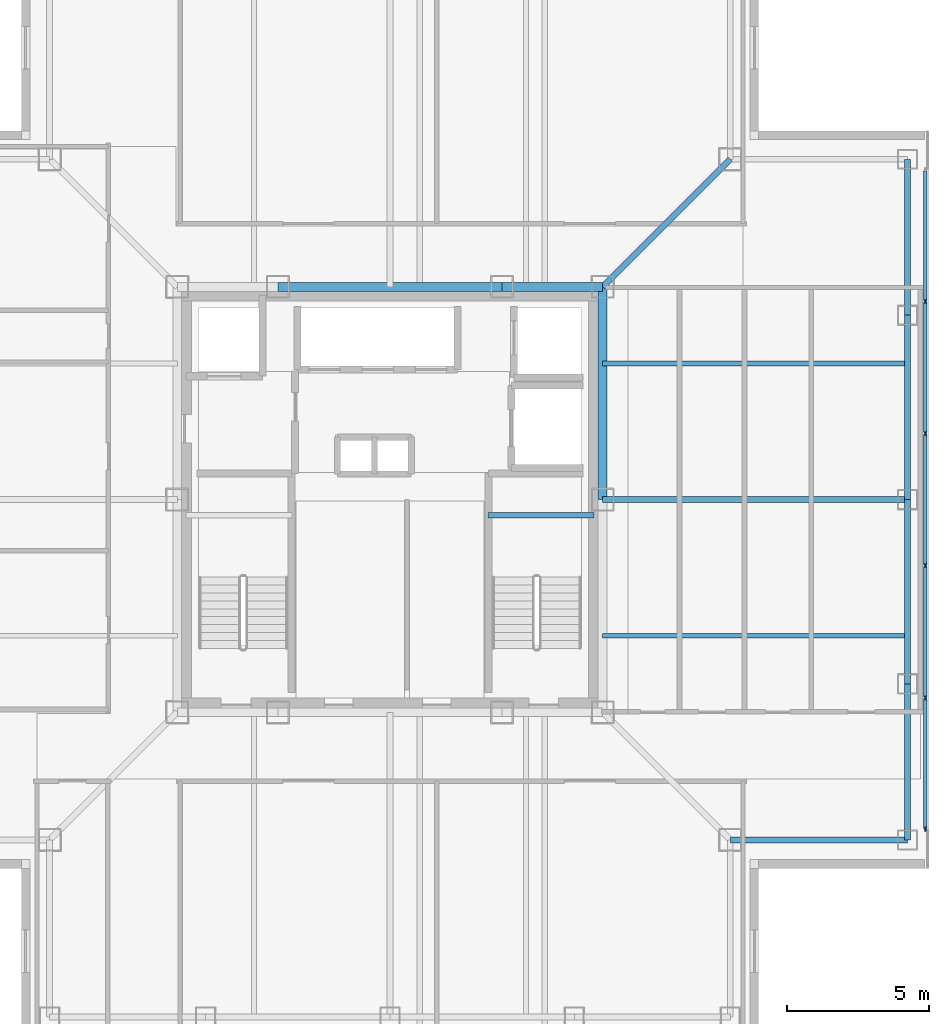
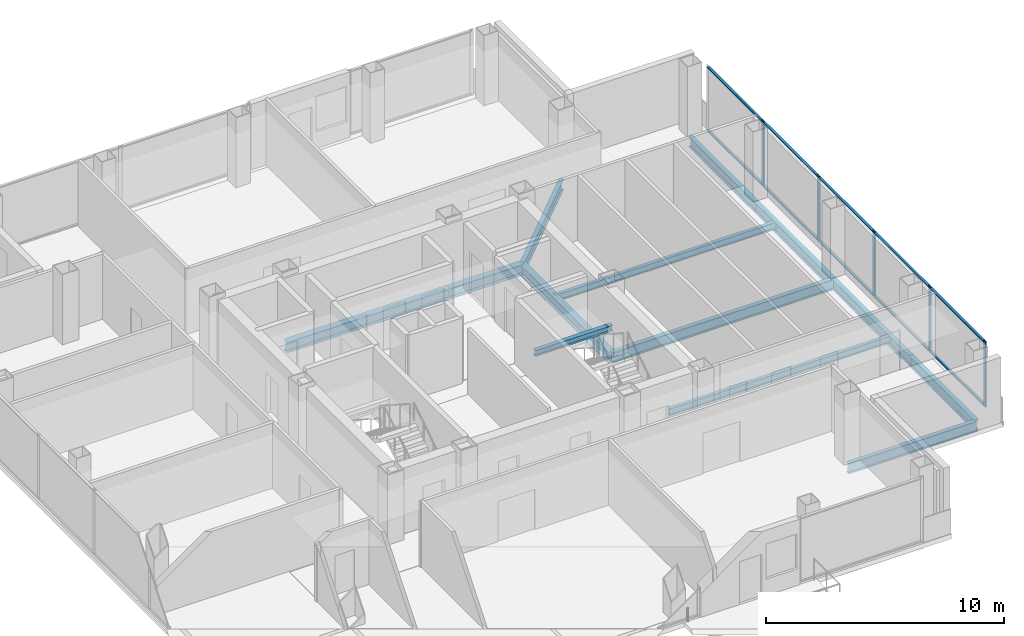
# One storey, part 4 of 15: 15 members, 13 beams, 1 element without a shape of its own.
"""IFC4 building model written with IfcOpenShell, lengths in metres."""

from ifc_helpers import new_model, si_unit, direction, frame, origin, origin_2d, place, context, subcontext, project, spatial, rectangle, i_section, extrude, material, layer, layer_set, material_profile, profile_set, type_object, element, aggregate, save


model = new_model("IFC4")

# Units and contexts
model_context = context("Model", 3, precision=1e-05, world=origin(), true_north=direction((0.0, 1.0)))
body_context = subcontext(model_context, "Body", "Model", "MODEL_VIEW")
ifc_project = project(units=[si_unit("LENGTHUNIT", "METRE"), si_unit("AREAUNIT", "SQUARE_METRE"), si_unit("VOLUMEUNIT", "CUBIC_METRE"), si_unit("PLANEANGLEUNIT", "RADIAN"), si_unit("MASSUNIT", "GRAM", prefix="KILO")], contexts=[model_context])

# Site, building, storey
site_placement = place(None, origin())
site = spatial("IfcSite", under=ifc_project, at=site_placement, CompositionType="ELEMENT")
building_placement = place(site_placement, origin())
building = spatial("IfcBuilding", under=site, at=building_placement, Name="Trevonay Congress Spire", CompositionType="ELEMENT")
storey_placement = place(building_placement, frame((0.0, 0.0, 275.60009765625)))
storey = spatial("IfcBuildingStorey", under=building, at=storey_placement, Name="L72", CompositionType="ELEMENT", Elevation=275.60009765625)

# Beams
ifc_material_1 = material(Name="Steel ASTM A572 Grade 50", Category="steel")
ifc_material_profile_1 = material_profile(ifc_material_1, i_section(OverallWidth=0.2119140625, OverallDepth=0.5439453125, WebThickness=0.01318359375, FlangeThickness=0.021240234375, FilletRadius=0.014892578125, at=origin_2d()), Name="W530x123")
ifc_profile_set_1 = profile_set([ifc_material_profile_1], Name="Steel ASTM A572 Grade 50")
beam_type_1 = type_object("IfcBeamType", Name="BM-GIRD-W530X123", PredefinedType="BEAM", material=ifc_profile_set_1)
beam_1_placement = place(storey_placement, frame((7.5, 7.5, -0.51220703125), z_axis=(0.707106781187, 0.707106781187, 0.0), x_axis=(-0.707106781187, 0.707106781187, 0.0)))
element("IfcBeam", 1, at=beam_1_placement, inside=storey, type_object=beam_type_1, Name="L72 structural beam BM-L72-CDNE", PredefinedType="BEAM", context=body_context, shape_type="SweptSolid", body=[
    extrude(i_section(OverallWidth=0.2119140625, OverallDepth=0.5439453125, WebThickness=0.01318359375, FlangeThickness=0.021240234375, FilletRadius=0.014892578125, at=origin_2d()), origin(), (0.0, 0.0, 1.0), 6.364013671875),
])
beam_2_placement = place(storey_placement, frame((7.5, 0.0, -0.51220703125), z_axis=(1.0, 0.0, 0.0), x_axis=(0.0, 1.0, 0.0)))
element("IfcBeam", 2, at=beam_2_placement, inside=storey, type_object=beam_type_1, Name="L72 structural beam BM-L72-GC-E", PredefinedType="BEAM", context=body_context, shape_type="SweptSolid", body=[
    extrude(i_section(OverallWidth=0.2119140625, OverallDepth=0.5439453125, WebThickness=0.01318359375, FlangeThickness=0.021240234375, FilletRadius=0.014892578125, at=origin_2d()), origin(), (0.0, 0.0, 1.0), 10.75),
])
ifc_material_profile_2 = material_profile(ifc_material_1, i_section(OverallWidth=0.31201171875, OverallDepth=0.54296875, WebThickness=0.0126953125, FlangeThickness=0.020263671875, FilletRadius=0.014892578125, at=origin_2d()), Name="W530x150")
ifc_profile_set_2 = profile_set([ifc_material_profile_2], Name="Steel ASTM A572 Grade 50")
beam_type_2 = type_object("IfcBeamType", Name="BM-GIRD-W530X150", PredefinedType="BEAM", material=ifc_profile_set_2)
beam_3_placement = place(storey_placement, frame((-3.949951171875, 7.5, -0.51171875), z_axis=(1.0, 0.0, 0.0), x_axis=(0.0, 1.0, 0.0)))
element("IfcBeam", 3, at=beam_3_placement, inside=storey, type_object=beam_type_2, Name="L72 structural beam BM-L72-CR-N2", PredefinedType="BEAM", context=body_context, shape_type="SweptSolid", body=[
    extrude(i_section(OverallWidth=0.31201171875, OverallDepth=0.54296875, WebThickness=0.0126953125, FlangeThickness=0.020263671875, FilletRadius=0.014892578125, at=origin_2d()), origin(), (0.0, 0.0, 1.0), 7.89990234375),
])
beam_4_placement = place(storey_placement, frame((3.949951171875, 7.5, -0.51171875), z_axis=(1.0, 0.0, 0.0), x_axis=(0.0, 1.0, 0.0)))
element("IfcBeam", 4, at=beam_4_placement, inside=storey, type_object=beam_type_2, Name="L72 structural beam BM-L72-CR-N3", PredefinedType="BEAM", context=body_context, shape_type="SweptSolid", body=[
    extrude(i_section(OverallWidth=0.31201171875, OverallDepth=0.54296875, WebThickness=0.0126953125, FlangeThickness=0.020263671875, FilletRadius=0.014892578125, at=origin_2d()), origin(), (0.0, 0.0, 1.0), 3.550048828125),
])
beam_5_placement = place(storey_placement, frame((7.5, 0.0, -0.51171875), z_axis=(0.0, 1.0, 0.0), x_axis=(-1.0, 0.0, 0.0)))
element("IfcBeam", 5, at=beam_5_placement, inside=storey, type_object=beam_type_2, Name="L72 structural beam BM-L72-CR-E2", PredefinedType="BEAM", context=body_context, shape_type="SweptSolid", body=[
    extrude(i_section(OverallWidth=0.31201171875, OverallDepth=0.54296875, WebThickness=0.0126953125, FlangeThickness=0.020263671875, FilletRadius=0.014892578125, at=origin_2d()), origin(), (0.0, 0.0, 1.0), 7.5),
])
ifc_material_profile_3 = material_profile(ifc_material_1, i_section(OverallWidth=0.208984375, OverallDepth=0.532958984375, WebThickness=0.01025390625, FlangeThickness=0.015625, FilletRadius=0.014892578125, at=origin_2d()), Name="W530x92")
ifc_profile_set_3 = profile_set([ifc_material_profile_3], Name="Steel ASTM A572 Grade 50")
beam_type_3 = type_object("IfcBeamType", Name="BM-RING-W530X92", PredefinedType="BEAM", material=ifc_profile_set_3)
beam_6_placement = place(storey_placement, frame((18.25, -12.0, -0.506591796875), z_axis=(0.0, 1.0, 0.0), x_axis=(-1.0, 0.0, 0.0)))
element("IfcBeam", 6, at=beam_6_placement, inside=storey, type_object=beam_type_3, Name="L72 structural beam BM-L72-PE1", PredefinedType="BEAM", context=body_context, shape_type="SweptSolid", body=[
    extrude(i_section(OverallWidth=0.208984375, OverallDepth=0.532958984375, WebThickness=0.01025390625, FlangeThickness=0.015625, FilletRadius=0.014892578125, at=origin_2d()), origin(), (0.0, 0.0, 1.0), 5.5),
])
for number, where, z_axis, x_axis, name in (
    (7, (18.25, -6.5, -0.506591796875), (0.0, 1.0, 0.0), (-1.0, 0.0, 0.0), "L72 structural beam BM-L72-PE2"),
    (8, (18.25, 0.0, -0.506591796875), (0.0, 1.0, 0.0), (-1.0, 0.0, 0.0), "L72 structural beam BM-L72-PE3"),
):
    element("IfcBeam", number, at=place(storey_placement, frame(where, z_axis=z_axis, x_axis=x_axis)), inside=storey, type_object=beam_type_3, Name=name, PredefinedType="BEAM", context=body_context, shape_type="SweptSolid", body=[
        extrude(i_section(OverallWidth=0.208984375, OverallDepth=0.532958984375, WebThickness=0.01025390625, FlangeThickness=0.015625, FilletRadius=0.014892578125, at=origin_2d()), origin(), (0.0, 0.0, 1.0), 6.5),
    ])
beam_7_placement = place(storey_placement, frame((18.25, 6.5, -0.506591796875), z_axis=(0.0, 1.0, 0.0), x_axis=(-1.0, 0.0, 0.0)))
element("IfcBeam", 9, at=beam_7_placement, inside=storey, type_object=beam_type_3, Name="L72 structural beam BM-L72-PE4", PredefinedType="BEAM", context=body_context, shape_type="SweptSolid", body=[
    extrude(i_section(OverallWidth=0.208984375, OverallDepth=0.532958984375, WebThickness=0.01025390625, FlangeThickness=0.015625, FilletRadius=0.014892578125, at=origin_2d()), origin(), (0.0, 0.0, 1.0), 5.5),
])
beam_8_placement = place(storey_placement, frame((18.25, -12.0, -0.506591796875), z_axis=(-1.0, 0.0, 0.0), x_axis=(0.0, -1.0, 0.0)))
element("IfcBeam", 10, at=beam_8_placement, inside=storey, type_object=beam_type_3, Name="L72 structural beam BM-L72-N2SE", PredefinedType="BEAM", context=body_context, shape_type="SweptSolid", body=[
    extrude(i_section(OverallWidth=0.208984375, OverallDepth=0.532958984375, WebThickness=0.01025390625, FlangeThickness=0.015625, FilletRadius=0.014892578125, at=origin_2d()), origin(), (0.0, 0.0, 1.0), 6.25),
])

# Curtain wall, members
ifc_material_2 = material(Name="Pale Anodised Aluminium EN AW-6063-T6", Category="aluminium")
ifc_layer = layer(ifc_material_2, 0.1650390625, Name="Pale Anodised Aluminium EN AW-6063-T6")
ifc_layer_set = layer_set([ifc_layer], Name="Pale Anodised Aluminium EN AW-6063-T6")
curtain_wall_type = type_object("IfcCurtainWallType", Name="CW-SYS05-DIPLOM-PALE-METAL", PredefinedType="NOTDEFINED", material=ifc_layer_set)
curtain_wall_placement = place(storey_placement, origin())
curtain_wall = element("IfcCurtainWall", 11, at=curtain_wall_placement, inside=storey, type_object=curtain_wall_type, Name="L72 E unitised curtain wall", PredefinedType="NOTDEFINED")
ifc_material_profile_4 = material_profile(ifc_material_2, rectangle(XDim=0.06005859375, YDim=0.159912109375, at=origin_2d()), Name="CW-MULLION-160-ALUMINIUM")
ifc_profile_set_4 = profile_set([ifc_material_profile_4], Name="Pale Anodised Aluminium EN AW-6063-T6")
member_type_1 = type_object("IfcMemberType", Name="CW-MULLION-160-ALUMINIUM", PredefinedType="MULLION", material=ifc_profile_set_4)
member_1_placement = place(storey_placement, frame((18.8798828125, -11.6201171875, 0.0), z_axis=(0.0, 0.0, 1.0), x_axis=(-1.0, 0.0, 0.0)))
member_1 = element("IfcMember", 12, at=member_1_placement, type_object=member_type_1, Name="CW05 mullion 1", PredefinedType="MULLION", context=body_context, shape_type="SweptSolid", body=[
    extrude(rectangle(XDim=0.06005859375, YDim=0.159912109375, at=origin_2d()), origin(), (0.0, 0.0, 1.0), 3.35986328125),
])
member_2_placement = place(storey_placement, frame((18.8798828125, -6.989990234375, 0.0), z_axis=(0.0, 0.0, 1.0), x_axis=(-1.0, 0.0, 0.0)))
member_2 = element("IfcMember", 13, at=member_2_placement, type_object=member_type_1, Name="CW05 mullion 2", PredefinedType="MULLION", context=body_context, shape_type="SweptSolid", body=[
    extrude(rectangle(XDim=0.06005859375, YDim=0.159912109375, at=origin_2d()), origin(), (0.0, 0.0, 1.0), 3.35986328125),
])
member_3_placement = place(storey_placement, frame((18.8798828125, -2.330078125, 0.0), z_axis=(0.0, 0.0, 1.0), x_axis=(-1.0, 0.0, 0.0)))
member_3 = element("IfcMember", 14, at=member_3_placement, type_object=member_type_1, Name="CW05 mullion 3", PredefinedType="MULLION", context=body_context, shape_type="SweptSolid", body=[
    extrude(rectangle(XDim=0.06005859375, YDim=0.159912109375, at=origin_2d()), origin(), (0.0, 0.0, 1.0), 3.35986328125),
])
member_4_placement = place(storey_placement, frame((18.8798828125, 2.330078125, 0.0), z_axis=(0.0, 0.0, 1.0), x_axis=(-1.0, 0.0, 0.0)))
member_4 = element("IfcMember", 15, at=member_4_placement, type_object=member_type_1, Name="CW05 mullion 4", PredefinedType="MULLION", context=body_context, shape_type="SweptSolid", body=[
    extrude(rectangle(XDim=0.06005859375, YDim=0.159912109375, at=origin_2d()), origin(), (0.0, 0.0, 1.0), 3.35986328125),
])
member_5_placement = place(storey_placement, frame((18.8798828125, 6.989990234375, 0.0), z_axis=(0.0, 0.0, 1.0), x_axis=(-1.0, 0.0, 0.0)))
member_5 = element("IfcMember", 16, at=member_5_placement, type_object=member_type_1, Name="CW05 mullion 5", PredefinedType="MULLION", context=body_context, shape_type="SweptSolid", body=[
    extrude(rectangle(XDim=0.06005859375, YDim=0.159912109375, at=origin_2d()), origin(), (0.0, 0.0, 1.0), 3.35986328125),
])
ifc_material_profile_5 = material_profile(ifc_material_2, rectangle(XDim=0.1201171875, YDim=0.06005859375, at=origin_2d()), Name="CW-TRANSOM-120-ALUMINIUM")
ifc_profile_set_5 = profile_set([ifc_material_profile_5], Name="Pale Anodised Aluminium EN AW-6063-T6")
member_type_2 = type_object("IfcMemberType", Name="CW-TRANSOM-120-ALUMINIUM", PredefinedType="USERDEFINED", material=ifc_profile_set_5)
member_6_placement = place(storey_placement, frame((18.8798828125, -11.590087890625, 0.059814453125), z_axis=(0.0, 1.0, 0.0), x_axis=(-1.0, 0.0, 0.0)))
member_6 = element("IfcMember", 17, at=member_6_placement, type_object=member_type_2, Name="CW05 transom 1.1", ObjectType="TRANSOM", PredefinedType="USERDEFINED", context=body_context, shape_type="SweptSolid", body=[
    extrude(rectangle(XDim=0.1201171875, YDim=0.06005859375, at=origin_2d()), origin(), (0.0, 0.0, 1.0), 4.570068359375),
])
member_7_placement = place(storey_placement, frame((18.8798828125, -11.590087890625, 3.2998046875), z_axis=(0.0, 1.0, 0.0), x_axis=(-1.0, 0.0, 0.0)))
member_7 = element("IfcMember", 18, at=member_7_placement, type_object=member_type_2, Name="CW05 transom 1.2", ObjectType="TRANSOM", PredefinedType="USERDEFINED", context=body_context, shape_type="SweptSolid", body=[
    extrude(rectangle(XDim=0.1201171875, YDim=0.06005859375, at=origin_2d()), origin(), (0.0, 0.0, 1.0), 4.570068359375),
])
member_8_placement = place(storey_placement, frame((18.8798828125, -6.9599609375, 0.059814453125), z_axis=(0.0, 1.0, 0.0), x_axis=(-1.0, 0.0, 0.0)))
member_8 = element("IfcMember", 19, at=member_8_placement, type_object=member_type_2, Name="CW05 transom 2.1", ObjectType="TRANSOM", PredefinedType="USERDEFINED", context=body_context, shape_type="SweptSolid", body=[
    extrude(rectangle(XDim=0.1201171875, YDim=0.06005859375, at=origin_2d()), origin(), (0.0, 0.0, 1.0), 4.599853515625),
])
member_9_placement = place(storey_placement, frame((18.8798828125, -6.9599609375, 3.2998046875), z_axis=(0.0, 1.0, 0.0), x_axis=(-1.0, 0.0, 0.0)))
member_9 = element("IfcMember", 20, at=member_9_placement, type_object=member_type_2, Name="CW05 transom 2.2", ObjectType="TRANSOM", PredefinedType="USERDEFINED", context=body_context, shape_type="SweptSolid", body=[
    extrude(rectangle(XDim=0.1201171875, YDim=0.06005859375, at=origin_2d()), origin(), (0.0, 0.0, 1.0), 4.599853515625),
])
member_10_placement = place(storey_placement, frame((18.8798828125, -2.300048828125, 0.059814453125), z_axis=(0.0, 1.0, 0.0), x_axis=(-1.0, 0.0, 0.0)))
member_10 = element("IfcMember", 21, at=member_10_placement, type_object=member_type_2, Name="CW05 transom 3.1", ObjectType="TRANSOM", PredefinedType="USERDEFINED", context=body_context, shape_type="SweptSolid", body=[
    extrude(rectangle(XDim=0.1201171875, YDim=0.06005859375, at=origin_2d()), origin(), (0.0, 0.0, 1.0), 4.60009765625),
])
member_11_placement = place(storey_placement, frame((18.8798828125, -2.300048828125, 3.2998046875), z_axis=(0.0, 1.0, 0.0), x_axis=(-1.0, 0.0, 0.0)))
member_11 = element("IfcMember", 22, at=member_11_placement, type_object=member_type_2, Name="CW05 transom 3.2", ObjectType="TRANSOM", PredefinedType="USERDEFINED", context=body_context, shape_type="SweptSolid", body=[
    extrude(rectangle(XDim=0.1201171875, YDim=0.06005859375, at=origin_2d()), origin(), (0.0, 0.0, 1.0), 4.60009765625),
])
member_12_placement = place(storey_placement, frame((18.8798828125, 2.360107421875, 0.059814453125), z_axis=(0.0, 1.0, 0.0), x_axis=(-1.0, 0.0, 0.0)))
member_12 = element("IfcMember", 23, at=member_12_placement, type_object=member_type_2, Name="CW05 transom 4.1", ObjectType="TRANSOM", PredefinedType="USERDEFINED", context=body_context, shape_type="SweptSolid", body=[
    extrude(rectangle(XDim=0.1201171875, YDim=0.06005859375, at=origin_2d()), origin(), (0.0, 0.0, 1.0), 4.599853515625),
])
member_13_placement = place(storey_placement, frame((18.8798828125, 2.360107421875, 3.2998046875), z_axis=(0.0, 1.0, 0.0), x_axis=(-1.0, 0.0, 0.0)))
member_13 = element("IfcMember", 24, at=member_13_placement, type_object=member_type_2, Name="CW05 transom 4.2", ObjectType="TRANSOM", PredefinedType="USERDEFINED", context=body_context, shape_type="SweptSolid", body=[
    extrude(rectangle(XDim=0.1201171875, YDim=0.06005859375, at=origin_2d()), origin(), (0.0, 0.0, 1.0), 4.599853515625),
])
member_14_placement = place(storey_placement, frame((18.8798828125, 7.02001953125, 0.059814453125), z_axis=(0.0, 1.0, 0.0), x_axis=(-1.0, 0.0, 0.0)))
member_14 = element("IfcMember", 25, at=member_14_placement, type_object=member_type_2, Name="CW05 transom 5.1", ObjectType="TRANSOM", PredefinedType="USERDEFINED", context=body_context, shape_type="SweptSolid", body=[
    extrude(rectangle(XDim=0.1201171875, YDim=0.06005859375, at=origin_2d()), origin(), (0.0, 0.0, 1.0), 4.570068359375),
])
member_15_placement = place(storey_placement, frame((18.8798828125, 7.02001953125, 3.2998046875), z_axis=(0.0, 1.0, 0.0), x_axis=(-1.0, 0.0, 0.0)))
member_15 = element("IfcMember", 26, at=member_15_placement, type_object=member_type_2, Name="CW05 transom 5.2", ObjectType="TRANSOM", PredefinedType="USERDEFINED", context=body_context, shape_type="SweptSolid", body=[
    extrude(rectangle(XDim=0.1201171875, YDim=0.06005859375, at=origin_2d()), origin(), (0.0, 0.0, 1.0), 4.570068359375),
])
aggregate(curtain_wall, [member_1, member_2, member_3, member_4, member_5, member_6, member_7, member_8, member_9, member_10, member_11, member_12, member_13, member_14, member_15])

# Beams
ifc_material_profile_6 = material_profile(ifc_material_1, i_section(OverallWidth=0.172119140625, OverallDepth=0.35791015625, WebThickness=0.0078125, FlangeThickness=0.01318359375, FilletRadius=0.011962890625, at=origin_2d()), Name="W360x57.8")
ifc_profile_set_6 = profile_set([ifc_material_profile_6], Name="Steel ASTM A572 Grade 50")
beam_type_4 = type_object("IfcBeamType", Name="JS-COMP-W360X57", PredefinedType="JOIST", material=ifc_profile_set_6)
for number, where, z_axis, x_axis, name in (
    (27, (7.5, -4.800048828125, -0.419189453125), (1.0, 0.0, 0.0), (0.0, 1.0, 0.0), "L72 structural beam JS-L72-EW-E1"),
    (28, (7.5, 4.800048828125, -0.419189453125), (1.0, 0.0, 0.0), (0.0, 1.0, 0.0), "L72 structural beam JS-L72-EW-E3"),
):
    element("IfcBeam", number, at=place(storey_placement, frame(where, z_axis=z_axis, x_axis=x_axis)), inside=storey, type_object=beam_type_4, Name=name, PredefinedType="JOIST", context=body_context, shape_type="SweptSolid", body=[
        extrude(i_section(OverallWidth=0.172119140625, OverallDepth=0.35791015625, WebThickness=0.0078125, FlangeThickness=0.01318359375, FilletRadius=0.011962890625, at=origin_2d()), origin(), (0.0, 0.0, 1.0), 10.75),
    ])
ifc_material_profile_7 = material_profile(ifc_material_1, i_section(OverallWidth=0.2041015625, OverallDepth=0.305908203125, WebThickness=0.008544921875, FlangeThickness=0.0146484375, FilletRadius=0.010986328125, at=origin_2d()), Name="W310x67")
ifc_profile_set_7 = profile_set([ifc_material_profile_7], Name="Steel ASTM A572 Grade 50")
beam_type_5 = type_object("IfcBeamType", Name="LN-CORE-W310X67", PredefinedType="LINTEL", material=ifc_profile_set_7)
beam_9_placement = place(storey_placement, frame((3.449951171875, -0.550048828125, 1.447021484375), z_axis=(1.0, 0.0, 0.0), x_axis=(0.0, 1.0, 0.0)))
element("IfcBeam", 29, at=beam_9_placement, inside=storey, type_object=beam_type_5, Name="L72 structural beam BM-L72-HL-ST2", PredefinedType="LINTEL", context=body_context, shape_type="SweptSolid", body=[
    extrude(i_section(OverallWidth=0.2041015625, OverallDepth=0.305908203125, WebThickness=0.008544921875, FlangeThickness=0.0146484375, FilletRadius=0.010986328125, at=origin_2d()), origin(), (0.0, 0.0, 1.0), 3.75),
])

save(model, "model.ifc")
